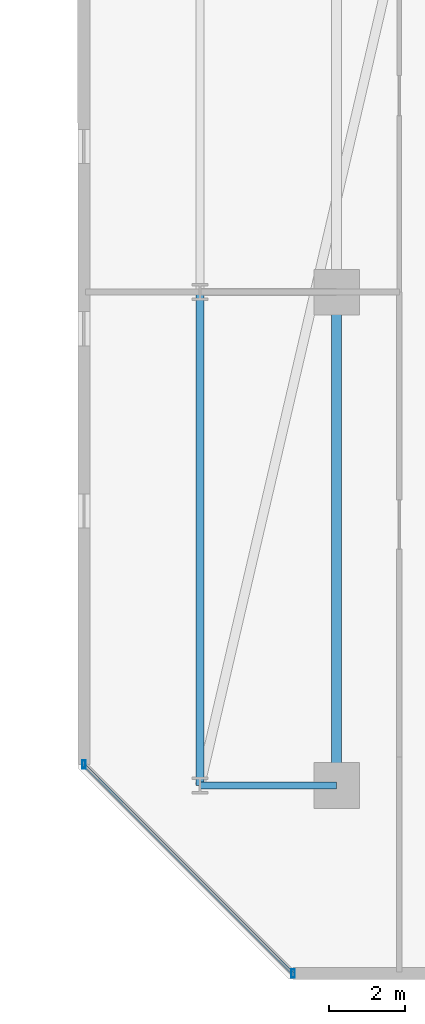
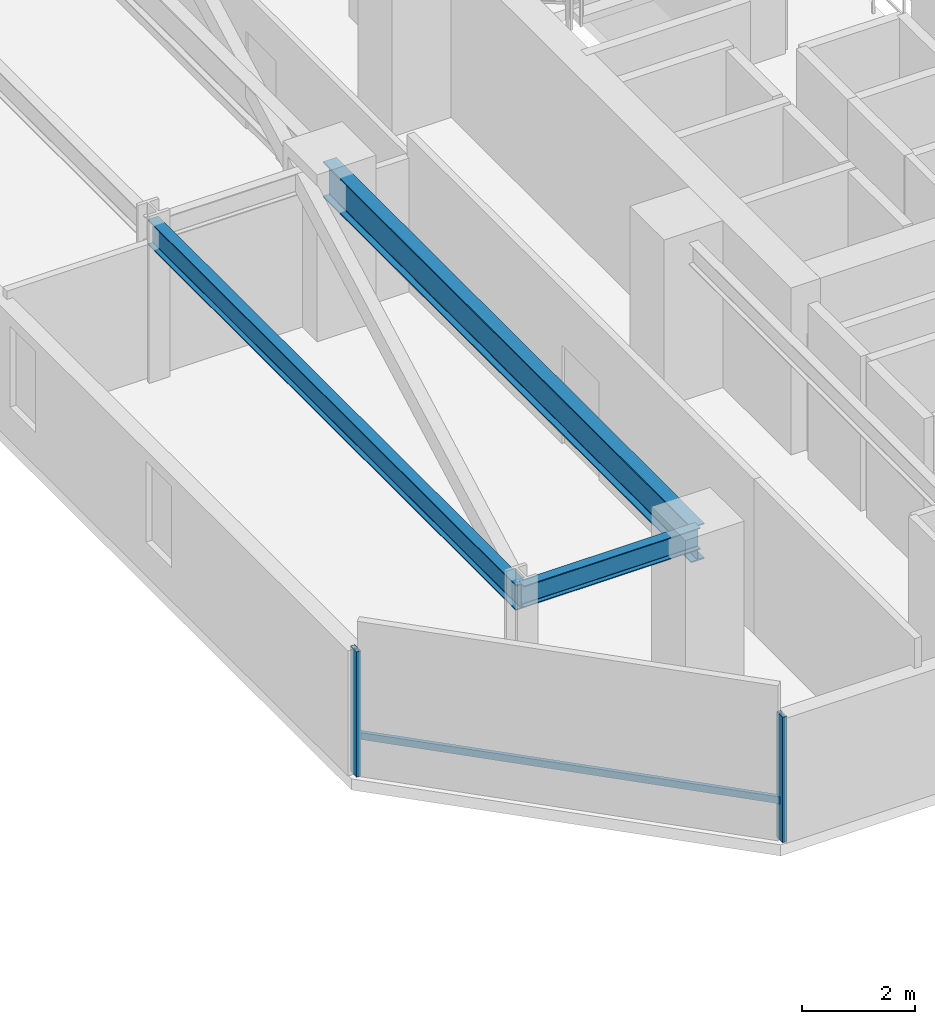
# One storey, part 6 of 29: 3 beams, 3 members, 1 element without a shape of its own.
"""IFC4 building model written with IfcOpenShell, lengths in metres."""

from ifc_helpers import new_model, si_unit, direction, frame, origin, origin_2d, place, context, subcontext, project, spatial, hollow_rectangle, i_section, extrude, material, material_profile, profile_set, type_object, element, aggregate, save


model = new_model("IFC4")

# Units and contexts
model_context = context("Model", 3, precision=1e-05, world=origin(), true_north=direction((0.0, 1.0)))
body_context = subcontext(model_context, "Body", "Model", "MODEL_VIEW")
ifc_project = project(units=[si_unit("LENGTHUNIT", "METRE"), si_unit("AREAUNIT", "SQUARE_METRE"), si_unit("VOLUMEUNIT", "CUBIC_METRE"), si_unit("PLANEANGLEUNIT", "RADIAN"), si_unit("MASSUNIT", "GRAM", prefix="KILO")], contexts=[model_context])

# Site, building, storey
site_placement = place(None, origin())
site = spatial("IfcSite", under=ifc_project, at=site_placement, CompositionType="ELEMENT")
building_placement = place(site_placement, origin())
building = spatial("IfcBuilding", under=site, at=building_placement, Name="Thornwick Lancets Civic Towers", CompositionType="ELEMENT")
storey_placement = place(building_placement, frame((0.0, 0.0, 83.699951171875)))
storey = spatial("IfcBuildingStorey", under=building, at=storey_placement, Name="L21", CompositionType="ELEMENT", Elevation=83.699951171875)

# Beams
ifc_material_1 = material(Name="Steel S355JR", Category="steel")
ifc_material_profile_1 = material_profile(ifc_material_1, i_section(OverallWidth=0.2119140625, OverallDepth=0.54443359375, WebThickness=0.0126953125, FlangeThickness=0.021240234375, FilletRadius=0.0126953125, at=origin_2d()), Name="UKB 533x210x122")
ifc_profile_set_1 = profile_set([ifc_material_profile_1], Name="Steel S355JR")
beam_type_1 = type_object("IfcBeamType", Name="BM_EDGE_533_122", PredefinedType="SPANDREL", material=ifc_profile_set_1)
beam_1_placement = place(storey_placement, frame((67.60009765625, 14.0, 3.087890625), z_axis=(0.0, 1.0, 0.0), x_axis=(-1.0, 0.0, 0.0)))
element("IfcBeam", 1, at=beam_1_placement, inside=storey, type_object=beam_type_1, Name="BM-EDGE-L21-B-S2-1", PredefinedType="SPANDREL", context=body_context, shape_type="SweptSolid", body=[
    extrude(i_section(OverallWidth=0.2119140625, OverallDepth=0.54443359375, WebThickness=0.0126953125, FlangeThickness=0.021240234375, FilletRadius=0.0126953125, at=origin_2d()), origin(), (0.0, 0.0, 1.0), 13.0),
])
ifc_material_profile_2 = material_profile(ifc_material_1, i_section(OverallWidth=0.26806640625, OverallDepth=0.769775390625, WebThickness=0.015625, FlangeThickness=0.025390625, FilletRadius=0.0166015625, at=origin_2d()), Name="UKB 762x267x197")
ifc_profile_set_2 = profile_set([ifc_material_profile_2], Name="Steel S355JR")
beam_type_2 = type_object("IfcBeamType", Name="BM_GIRD_762_197", PredefinedType="BEAM", material=ifc_profile_set_2)
beam_2_placement = place(storey_placement, frame((71.199951171875, 14.0, 2.97509765625), z_axis=(0.0, 1.0, 0.0), x_axis=(-1.0, 0.0, 0.0)))
element("IfcBeam", 2, at=beam_2_placement, inside=storey, type_object=beam_type_2, Name="BM-SPINE-L21-B-6-7", PredefinedType="BEAM", context=body_context, shape_type="SweptSolid", body=[
    extrude(i_section(OverallWidth=0.26806640625, OverallDepth=0.769775390625, WebThickness=0.015625, FlangeThickness=0.025390625, FilletRadius=0.0166015625, at=origin_2d()), origin(), (0.0, 0.0, 1.0), 13.0),
])
ifc_material_profile_3 = material_profile(ifc_material_1, i_section(OverallWidth=0.19189453125, OverallDepth=0.46337890625, WebThickness=0.010498046875, FlangeThickness=0.017578125, FilletRadius=0.01025390625, at=origin_2d()), Name="UKB 457x191x89")
ifc_profile_set_3 = profile_set([ifc_material_profile_3], Name="Steel S355JR")
beam_type_3 = type_object("IfcBeamType", Name="BM_JOIST_457_89", PredefinedType="JOIST", material=ifc_profile_set_3)
beam_3_placement = place(storey_placement, frame((71.199951171875, 14.0, 3.12841796875), z_axis=(-1.0, 0.0, 0.0), x_axis=(0.0, -1.0, 0.0)))
element("IfcBeam", 3, at=beam_3_placement, inside=storey, type_object=beam_type_3, Name="BM-RAD-L21-B07", PredefinedType="JOIST", context=body_context, shape_type="SweptSolid", body=[
    extrude(i_section(OverallWidth=0.19189453125, OverallDepth=0.46337890625, WebThickness=0.010498046875, FlangeThickness=0.017578125, FilletRadius=0.01025390625, at=origin_2d()), origin(), (0.0, 0.0, 1.0), 3.599853515625),
])

# Curtain wall, members
ifc_material_2 = material(Name="Low-zone chamfered-corner unitised glass curtain wall", Category="glass")
curtain_wall_type = type_object("IfcCurtainWallType", Name="CW_SYS_03", PredefinedType="NOTDEFINED", material=ifc_material_2)
curtain_wall_placement = place(storey_placement, origin())
curtain_wall = element("IfcCurtainWall", 4, at=curtain_wall_placement, inside=storey, type_object=curtain_wall_type, Name="L21 Curtain Wall CW-L21-B-E7", PredefinedType="NOTDEFINED")
ifc_material_3 = material(Name="Thermally broken bronze aluminium S355", Category="steel")
ifc_material_profile_4 = material_profile(ifc_material_3, hollow_rectangle(XDim=0.090087890625, YDim=0.219970703125, WallThickness=0.00634765625, at=origin_2d()), Name="RHS 220x90x6.3")
ifc_profile_set_4 = profile_set([ifc_material_profile_4], Name="Thermally broken bronze aluminium S355")
member_type_1 = type_object("IfcMemberType", Name="CW_MUL_220", PredefinedType="MULLION", material=ifc_profile_set_4)
member_1_placement = place(storey_placement, frame((64.544921875, 14.5517578125, 0.0), z_axis=(0.0, 0.0, 1.0), x_axis=(1.0, 0.0, 0.0)))
member_1 = element("IfcMember", 5, at=member_1_placement, type_object=member_type_1, Name="CW-L21-B-E7 Mullion 0", PredefinedType="MULLION", context=body_context, shape_type="SweptSolid", body=[
    extrude(hollow_rectangle(XDim=0.090087890625, YDim=0.219970703125, WallThickness=0.00634765625, at=origin_2d()), origin(), (0.0, 0.0, 1.0), 2.699951171875),
])
member_2_placement = place(storey_placement, frame((70.0517578125, 9.044921875, 0.0), z_axis=(0.0, 0.0, 1.0), x_axis=(1.0, 0.0, 0.0)))
member_2 = element("IfcMember", 6, at=member_2_placement, type_object=member_type_1, Name="CW-L21-B-E7 Mullion 1", PredefinedType="MULLION", context=body_context, shape_type="SweptSolid", body=[
    extrude(hollow_rectangle(XDim=0.090087890625, YDim=0.219970703125, WallThickness=0.00634765625, at=origin_2d()), origin(), (0.0, 0.0, 1.0), 2.699951171875),
])
ifc_material_profile_5 = material_profile(ifc_material_3, hollow_rectangle(XDim=0.074951171875, YDim=0.14990234375, WallThickness=0.0048828125, at=origin_2d()), Name="RHS 150x75x5")
ifc_profile_set_5 = profile_set([ifc_material_profile_5], Name="Thermally broken bronze aluminium S355")
member_type_2 = type_object("IfcMemberType", Name="CW_TRN_150", PredefinedType="USERDEFINED", material=ifc_profile_set_5)
member_3_placement = place(storey_placement, frame((64.55908203125, 14.53759765625, 0.85009765625), z_axis=(0.707106781187, -0.707106781187, 0.0), x_axis=(0.707106781187, 0.707106781187, 0.0)))
member_3 = element("IfcMember", 7, at=member_3_placement, type_object=member_type_2, Name="CW-L21-B-E7 Transom 0", ObjectType="TRANSOM", PredefinedType="USERDEFINED", context=body_context, shape_type="SweptSolid", body=[
    extrude(hollow_rectangle(XDim=0.074951171875, YDim=0.14990234375, WallThickness=0.0048828125, at=origin_2d()), origin(), (0.0, 0.0, 1.0), 7.747802734375),
])
aggregate(curtain_wall, [member_1, member_2, member_3])

save(model, "model.ifc")
